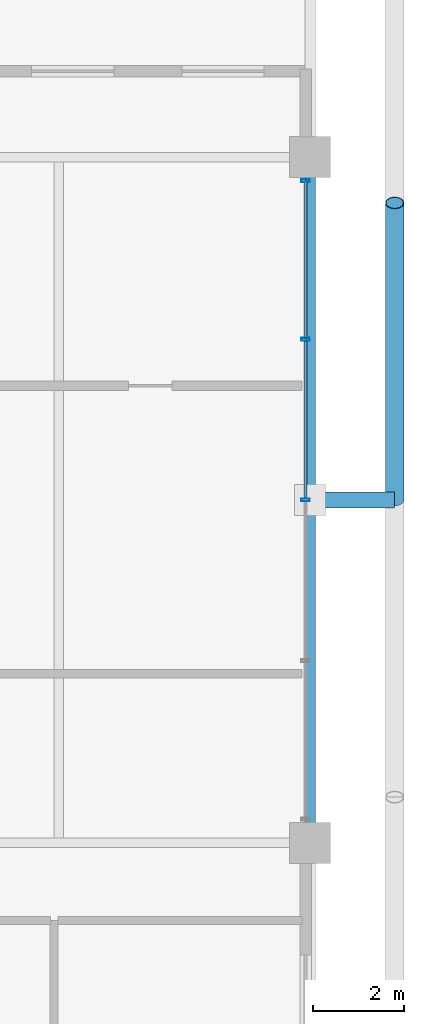
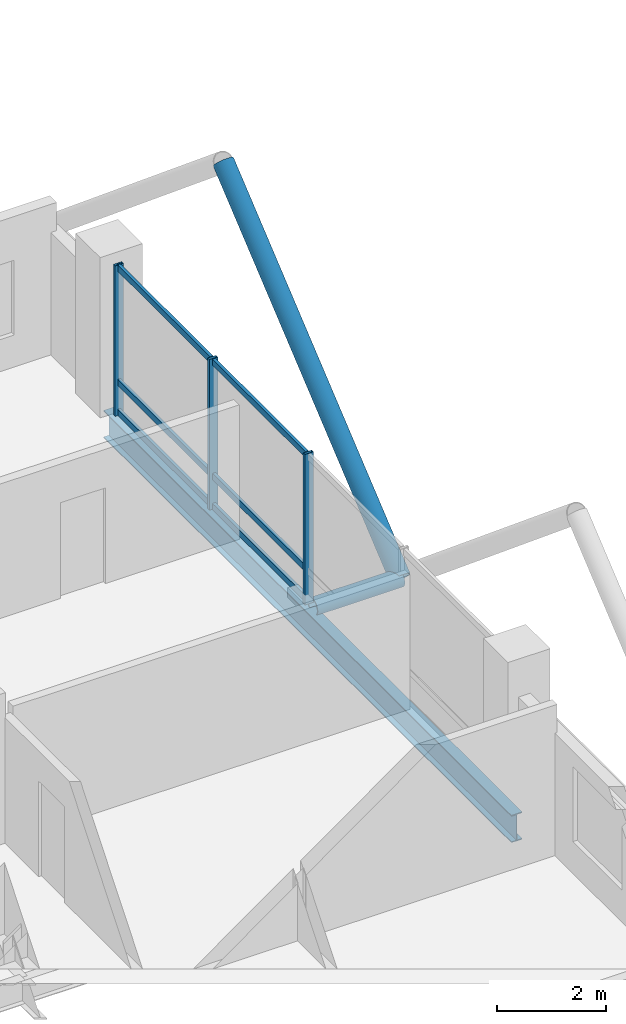
# One storey, part 13 of 21: 11 members, 1 beam, 1 element without a shape of its own.
"""IFC4 building model written with IfcOpenShell, lengths in metres."""

import ifcopenshell
import ifcopenshell.guid

model = None  # the IFC model being written
_history = None  # IfcOwnerHistory: only IFC2X3 demands one
_inside = {}  # id of a spatial element -> (the spatial element, [elements in it])
_under = {}  # id of a project, library or spatial element -> (it, [spatial elements below it])
_declared = {}  # id of a project -> (the project, [libraries it declares])
_typed = {}  # id of a type object -> (the type object, [elements of that type])
_made_of = {}  # id of a material, layer set ... -> (it, [elements and type objects made of it])


def new_model(schema):
    """Start an empty IFC model of exactly this schema.

    Asked for "IFC4X3", IfcOpenShell would pick the latest addendum, in which some entities
    have other attributes; the version numbers below select the first issue.
    IFC2X3 requires an IfcOwnerHistory on every rooted entity: one is made here for all.
    """
    global model, _history
    if schema == "IFC4X3":
        model = ifcopenshell.file(schema_version=(4, 3, 0, 0))
    else:
        model = ifcopenshell.file(schema=schema)
    _inside.clear()
    _under.clear()
    _declared.clear()
    _typed.clear()
    _made_of.clear()
    _history = None
    if model.schema == "IFC2X3":
        org = make("IfcOrganization", Name="unknown")
        user = make(
            "IfcPersonAndOrganization",
            ThePerson=make("IfcPerson", FamilyName="unknown"),
            TheOrganization=org,
        )
        app = make(
            "IfcApplication",
            ApplicationDeveloper=org,
            Version="unknown",
            ApplicationFullName="unknown",
            ApplicationIdentifier="unknown",
        )
        _history = make(
            "IfcOwnerHistory",
            OwningUser=user,
            OwningApplication=app,
            ChangeAction="ADDED",
            CreationDate=0,
        )
    return model


def make(cls, **values):
    """One entity of the class cls with the attributes given. An attribute that is None is left unset."""
    return model.create_entity(
        cls, **{name: value for name, value in values.items() if value is not None}
    )


def rooted(cls, **values):
    """An entity with a GlobalId (a new one), such as an element, a storey or a relation."""
    return make(cls, GlobalId=ifcopenshell.guid.new(), OwnerHistory=_history, **values)


def si_unit(unit_type, name, prefix=None):
    """IfcSIUnit, for example si_unit("LENGTHUNIT", "METRE", prefix="MILLI")."""
    return make("IfcSIUnit", UnitType=unit_type, Prefix=prefix, Name=name)


def assignment(units):
    """IfcUnitAssignment: the units of a project."""
    return None if units is None else make("IfcUnitAssignment", Units=units)


def point(xyz):
    """IfcCartesianPoint."""
    return None if xyz is None else make("IfcCartesianPoint", Coordinates=xyz)


def direction(xyz):
    """IfcDirection."""
    return None if xyz is None else make("IfcDirection", DirectionRatios=xyz)


def frame(location, z_axis=None, x_axis=None):
    """IfcAxis2Placement3D, a coordinate frame: its origin and axes. An axis left out is left unset."""
    return make(
        "IfcAxis2Placement3D",
        Location=point(location),
        Axis=direction(z_axis),
        RefDirection=direction(x_axis),
    )


def frame_2d(location, x_axis=None):
    """IfcAxis2Placement2D, a coordinate frame in the plane: its origin and x axis."""
    return make(
        "IfcAxis2Placement2D", Location=point(location), RefDirection=direction(x_axis)
    )


def origin():
    """The frame at (0, 0, 0) with its axes left unset."""
    return frame((0.0, 0.0, 0.0))


def origin_2d():
    """The frame at (0, 0) in the plane with its x axis left unset."""
    return frame_2d((0.0, 0.0))


def place(relative_to, where):
    """IfcLocalPlacement: puts the frame where relative to a parent placement (None: the world)."""
    return make(
        "IfcLocalPlacement", PlacementRelTo=relative_to, RelativePlacement=where
    )


def context(
    kind, dimensions, precision=None, world=None, true_north=None, identifier=None
):
    """IfcGeometricRepresentationContext, for example the 3D "Model" context."""
    return make(
        "IfcGeometricRepresentationContext",
        ContextIdentifier=identifier,
        ContextType=kind,
        CoordinateSpaceDimension=dimensions,
        Precision=precision,
        WorldCoordinateSystem=world,
        TrueNorth=true_north,
    )


def subcontext(parent, identifier, kind, view, scale=None):
    """IfcGeometricRepresentationSubContext, for example "Body" below "Model"."""
    return make(
        "IfcGeometricRepresentationSubContext",
        ContextIdentifier=identifier,
        ContextType=kind,
        ParentContext=parent,
        TargetScale=scale,
        TargetView=view,
    )


def project(units=None, contexts=None):
    """IfcProject with its units and contexts."""
    return rooted(
        "IfcProject",
        Name="project",
        RepresentationContexts=contexts,
        UnitsInContext=assignment(units),
    )


def spatial(cls, under=None, at=None, **own):
    """A site, building, storey or space (cls), placed at a placement, below another one or the project."""
    s = rooted(cls, ObjectPlacement=at, **own)
    if under is not None:
        _under.setdefault(under.id(), (under, []))[1].append(s)
    return s


def profile(cls, at=None, kind="AREA", **sizes):
    """A parametric profile (cls). Its sizes go by their IFC names, for example OverallWidth=200.0."""
    return make(cls, ProfileType=kind, Position=at, **sizes)


def hollow_rectangle(**sizes):
    """IfcRectangleHollowProfileDef."""
    return profile("IfcRectangleHollowProfileDef", **sizes)


def hollow_circle(**sizes):
    """IfcCircleHollowProfileDef."""
    return profile("IfcCircleHollowProfileDef", **sizes)


def i_section(**sizes):
    """IfcIShapeProfileDef."""
    return profile("IfcIShapeProfileDef", **sizes)


def extrude(swept, where, along, depth):
    """IfcExtrudedAreaSolid: the profile swept, set in the frame where, extruded along a direction by depth."""
    return make(
        "IfcExtrudedAreaSolid",
        SweptArea=swept,
        Position=where,
        ExtrudedDirection=direction(along),
        Depth=depth,
    )


def shape(context_of_items, identifier, shape_type, items):
    """IfcShapeRepresentation: the items that make up one representation, for example the "Body"."""
    return make(
        "IfcShapeRepresentation",
        ContextOfItems=context_of_items,
        RepresentationIdentifier=identifier,
        RepresentationType=shape_type,
        Items=items,
    )


def material(Name=None, Category=None):
    """IfcMaterial."""
    return make("IfcMaterial", Name=Name, Category=Category)


def layer(
    of_material, thickness, ventilated=None, Name=None, Category=None, Priority=None
):
    """IfcMaterialLayer: one layer of a wall or slab, of a material (None: an air gap)."""
    return make(
        "IfcMaterialLayer",
        Material=of_material,
        LayerThickness=thickness,
        IsVentilated=ventilated,
        Name=Name,
        Category=Category,
        Priority=Priority,
    )


def layer_set(layers, Name=None):
    """IfcMaterialLayerSet."""
    return make("IfcMaterialLayerSet", MaterialLayers=layers, LayerSetName=Name)


def material_profile(
    of_material, cross_section, Name=None, Category=None, Priority=None
):
    """IfcMaterialProfile: a cross section and its material."""
    return make(
        "IfcMaterialProfile",
        Name=Name,
        Material=of_material,
        Profile=cross_section,
        Priority=Priority,
        Category=Category,
    )


def profile_set(profiles, Name=None, composite=None):
    """IfcMaterialProfileSet."""
    return make(
        "IfcMaterialProfileSet",
        Name=Name,
        MaterialProfiles=profiles,
        CompositeProfile=composite,
    )


def made_of(thing, what):
    """Note that an element or type object is made of a material, layer set ...; save() writes the relation."""
    if what is not None:
        _made_of.setdefault(what.id(), (what, []))[1].append(thing)
    return thing


def type_object(cls, material=None, **own):
    """A type object (cls), such as IfcWallType, which elements share."""
    return made_of(rooted(cls, **own), material)


def element(
    cls,
    number,
    at=None,
    inside=None,
    cuts=None,
    type_object=None,
    material=None,
    context=None,
    identifier="Body",
    shape_type=None,
    held_by="IfcProductDefinitionShape",
    body=None,
    shapes=None,
    **own,
):
    """One element of the class cls, such as IfcWall. Its Tag is "e" and its number.

    at: its placement. inside: the storey or other place that contains it. cuts: it is an
    opening in that element (IfcRelVoidsElement). A single representation is given by context,
    identifier, shape_type and body (its items); several are given by shapes. held_by: the class
    of the entity that holds the representations. save() writes the other relations.
    """
    e = rooted(cls, Tag="e%d" % number, ObjectPlacement=at, **own)
    if body is not None:
        shapes = [shape(context, identifier, shape_type, body)]
    if shapes is not None:
        e.Representation = make(held_by, Representations=shapes)
    if inside is not None:
        _inside.setdefault(inside.id(), (inside, []))[1].append(e)
    if cuts is not None:
        rooted(
            "IfcRelVoidsElement", RelatingBuildingElement=cuts, RelatedOpeningElement=e
        )
    if type_object is not None:
        _typed.setdefault(type_object.id(), (type_object, []))[1].append(e)
    return made_of(e, material)


def aggregate(whole, parts):
    """IfcRelAggregates: a whole, such as a stair, and the parts it consists of."""
    return rooted("IfcRelAggregates", RelatingObject=whole, RelatedObjects=parts)


def save(model, path):
    """Write the relations noted so far, then the file.

    IfcRelAggregates (storeys below a building ...), IfcRelContainedInSpatialStructure (elements
    in a storey), IfcRelDefinesByType, IfcRelAssociatesMaterial and IfcRelDeclares: one each for
    every whole, place, type object, material and project.
    """
    for whole, parts in _under.values():
        aggregate(whole, parts)
    for where, things in _inside.values():
        rooted(
            "IfcRelContainedInSpatialStructure",
            RelatedElements=things,
            RelatingStructure=where,
        )
    for kind, things in _typed.values():
        rooted("IfcRelDefinesByType", RelatedObjects=things, RelatingType=kind)
    for what, things in _made_of.values():
        rooted("IfcRelAssociatesMaterial", RelatedObjects=things, RelatingMaterial=what)
    for by, libraries in _declared.values():
        rooted("IfcRelDeclares", RelatingContext=by, RelatedDefinitions=libraries)
    model.write(path)


model = new_model("IFC4")

# Units and contexts
model_context = context("Model", 3, precision=1e-05, world=origin(), true_north=direction((0.0, 1.0)))
body_context = subcontext(model_context, "Body", "Model", "MODEL_VIEW")
ifc_project = project(units=[si_unit("LENGTHUNIT", "METRE"), si_unit("AREAUNIT", "SQUARE_METRE"), si_unit("VOLUMEUNIT", "CUBIC_METRE"), si_unit("PLANEANGLEUNIT", "RADIAN"), si_unit("MASSUNIT", "GRAM", prefix="KILO")], contexts=[model_context])

# Site, building, storey
site_placement = place(None, origin())
site = spatial("IfcSite", under=ifc_project, at=site_placement, CompositionType="ELEMENT")
building_placement = place(site_placement, origin())
building = spatial("IfcBuilding", under=site, at=building_placement, Name="Barlavira Tower and Art Museum", CompositionType="ELEMENT")
storey_placement = place(building_placement, frame((0.0, 0.0, 261.89990234375)))
storey = spatial("IfcBuildingStorey", under=building, at=storey_placement, Name="L68", CompositionType="ELEMENT", Elevation=261.89990234375)

# Curtain wall, members
ifc_material_1 = material(Name="Low-iron coastal laminated glass", Category="glass")
ifc_layer = layer(ifc_material_1, 0.2099609375, Name="Low-iron coastal laminated glass")
ifc_layer_set = layer_set([ifc_layer], Name="Low-iron coastal laminated glass")
curtain_wall_type = type_object("IfcCurtainWallType", Name="Pale-Metal Unitised Curtain Wall Zone 4", PredefinedType="NOTDEFINED", material=ifc_layer_set)
curtain_wall_placement = place(storey_placement, origin())
curtain_wall = element("IfcCurtainWall", 1, at=curtain_wall_placement, inside=storey, type_object=curtain_wall_type, Name="L68 Curtain Wall CW4-L68-E-B3", PredefinedType="NOTDEFINED")
ifc_material_2 = material(Name="Pale anodised aluminium", Category="aluminium")
ifc_material_profile_1 = material_profile(ifc_material_2, hollow_rectangle(XDim=0.06494140625, YDim=0.179931640625, WallThickness=0.00390625, at=origin_2d()), Name="ALU-MULL 65x180x4")
ifc_profile_set_1 = profile_set([ifc_material_profile_1], Name="Pale anodised aluminium")
member_type_1 = type_object("IfcMemberType", Name="Curtain Wall Pale-Metal Mullion 65x180", PredefinedType="MULLION", material=ifc_profile_set_1)
member_1_placement = place(storey_placement, frame((16.89990234375, 0.0, 0.0), z_axis=(0.0, 0.0, 1.0), x_axis=(0.0, 1.0, 0.0)))
member_1 = element("IfcMember", 2, at=member_1_placement, type_object=member_type_1, Name="CW4-L68-E-B3 Mullion 2", PredefinedType="MULLION", context=body_context, shape_type="SweptSolid", body=[
    extrude(hollow_rectangle(XDim=0.06494140625, YDim=0.179931640625, WallThickness=0.00390625, at=origin_2d()), origin(), (0.0, 0.0, 1.0), 3.380126953125),
])
member_2_placement = place(storey_placement, frame((16.89990234375, 3.514892578125, 0.0), z_axis=(0.0, 0.0, 1.0), x_axis=(0.0, 1.0, 0.0)))
member_2 = element("IfcMember", 3, at=member_2_placement, type_object=member_type_1, Name="CW4-L68-E-B3 Mullion 3", PredefinedType="MULLION", context=body_context, shape_type="SweptSolid", body=[
    extrude(hollow_rectangle(XDim=0.06494140625, YDim=0.179931640625, WallThickness=0.00390625, at=origin_2d()), origin(), (0.0, 0.0, 1.0), 3.380126953125),
])
member_3_placement = place(storey_placement, frame((16.89990234375, 6.985107421875, 0.0), z_axis=(0.0, 0.0, 1.0), x_axis=(0.0, 1.0, 0.0)))
member_3 = element("IfcMember", 4, at=member_3_placement, type_object=member_type_1, Name="CW4-L68-E-B3 Mullion 4", PredefinedType="MULLION", context=body_context, shape_type="SweptSolid", body=[
    extrude(hollow_rectangle(XDim=0.06494140625, YDim=0.179931640625, WallThickness=0.00390625, at=origin_2d()), origin(), (0.0, 0.0, 1.0), 3.380126953125),
])
ifc_material_profile_2 = material_profile(ifc_material_2, hollow_rectangle(XDim=0.06494140625, YDim=0.139892578125, WallThickness=0.00390625, at=origin_2d()), Name="ALU-TRAN 65x140x4")
ifc_profile_set_2 = profile_set([ifc_material_profile_2], Name="Pale anodised aluminium")
member_type_2 = type_object("IfcMemberType", Name="Curtain Wall Pale-Metal Transom 65x140", PredefinedType="USERDEFINED", material=ifc_profile_set_2)
member_4_placement = place(storey_placement, frame((16.89990234375, 0.044921875, 0.070068359375), z_axis=(0.0, 1.0, 0.0), x_axis=(-1.0, 0.0, 0.0)))
member_4 = element("IfcMember", 5, at=member_4_placement, type_object=member_type_2, Name="CW4-L68-E-B3 Transom 2.1", ObjectType="TRANSOM", PredefinedType="USERDEFINED", context=body_context, shape_type="SweptSolid", body=[
    extrude(hollow_rectangle(XDim=0.06494140625, YDim=0.139892578125, WallThickness=0.00390625, at=origin_2d()), origin(), (0.0, 0.0, 1.0), 3.425048828125),
])
member_5_placement = place(storey_placement, frame((16.89990234375, 0.044921875, 0.744140625), z_axis=(0.0, 1.0, 0.0), x_axis=(-1.0, 0.0, 0.0)))
member_5 = element("IfcMember", 6, at=member_5_placement, type_object=member_type_2, Name="CW4-L68-E-B3 Transom 2.2", ObjectType="TRANSOM", PredefinedType="USERDEFINED", context=body_context, shape_type="SweptSolid", body=[
    extrude(hollow_rectangle(XDim=0.06494140625, YDim=0.139892578125, WallThickness=0.00390625, at=origin_2d()), origin(), (0.0, 0.0, 1.0), 3.425048828125),
])
member_6_placement = place(storey_placement, frame((16.89990234375, 0.044921875, 3.31005859375), z_axis=(0.0, 1.0, 0.0), x_axis=(-1.0, 0.0, 0.0)))
member_6 = element("IfcMember", 7, at=member_6_placement, type_object=member_type_2, Name="CW4-L68-E-B3 Transom 2.3", ObjectType="TRANSOM", PredefinedType="USERDEFINED", context=body_context, shape_type="SweptSolid", body=[
    extrude(hollow_rectangle(XDim=0.06494140625, YDim=0.139892578125, WallThickness=0.00390625, at=origin_2d()), origin(), (0.0, 0.0, 1.0), 3.425048828125),
])
member_7_placement = place(storey_placement, frame((16.89990234375, 3.56005859375, 0.070068359375), z_axis=(0.0, 1.0, 0.0), x_axis=(-1.0, 0.0, 0.0)))
member_7 = element("IfcMember", 8, at=member_7_placement, type_object=member_type_2, Name="CW4-L68-E-B3 Transom 3.1", ObjectType="TRANSOM", PredefinedType="USERDEFINED", context=body_context, shape_type="SweptSolid", body=[
    extrude(hollow_rectangle(XDim=0.06494140625, YDim=0.139892578125, WallThickness=0.00390625, at=origin_2d()), origin(), (0.0, 0.0, 1.0), 3.425048828125),
])
member_8_placement = place(storey_placement, frame((16.89990234375, 3.56005859375, 0.744140625), z_axis=(0.0, 1.0, 0.0), x_axis=(-1.0, 0.0, 0.0)))
member_8 = element("IfcMember", 9, at=member_8_placement, type_object=member_type_2, Name="CW4-L68-E-B3 Transom 3.2", ObjectType="TRANSOM", PredefinedType="USERDEFINED", context=body_context, shape_type="SweptSolid", body=[
    extrude(hollow_rectangle(XDim=0.06494140625, YDim=0.139892578125, WallThickness=0.00390625, at=origin_2d()), origin(), (0.0, 0.0, 1.0), 3.425048828125),
])
member_9_placement = place(storey_placement, frame((16.89990234375, 3.56005859375, 3.31005859375), z_axis=(0.0, 1.0, 0.0), x_axis=(-1.0, 0.0, 0.0)))
member_9 = element("IfcMember", 10, at=member_9_placement, type_object=member_type_2, Name="CW4-L68-E-B3 Transom 3.3", ObjectType="TRANSOM", PredefinedType="USERDEFINED", context=body_context, shape_type="SweptSolid", body=[
    extrude(hollow_rectangle(XDim=0.06494140625, YDim=0.139892578125, WallThickness=0.00390625, at=origin_2d()), origin(), (0.0, 0.0, 1.0), 3.425048828125),
])
aggregate(curtain_wall, [member_1, member_2, member_3, member_4, member_5, member_6, member_7, member_8, member_9])

# Members
ifc_material_3 = material(Name="Steel S355", Category="steel")
ifc_material_profile_3 = material_profile(ifc_material_3, hollow_circle(Radius=0.203125, WallThickness=0.01611328125, at=origin_2d()), Name="CHS 406.4x16.0")
ifc_profile_set_3 = profile_set([ifc_material_profile_3], Name="Steel S355")
member_type_3 = type_object("IfcMemberType", Name="Pale-Metal Exoskeleton Diagrid Tube CHS 406x16 Steel S355", PredefinedType="BRACE", material=ifc_profile_set_3)
member_10_placement = place(storey_placement, frame((18.85009765625, 0.0, -0.119873046875), z_axis=(0.0, 0.769196053329, 0.639012857104), x_axis=(-1.0, 0.0, 0.0)))
element("IfcMember", 11, at=member_10_placement, inside=storey, type_object=member_type_3, Name="L68 Exoskeleton Diagrid Tube E", PredefinedType="BRACE", context=body_context, shape_type="SweptSolid", body=[
    extrude(hollow_circle(Radius=0.203125, WallThickness=0.01611328125, at=origin_2d()), origin(), (0.0, 0.0, 1.0), 8.450439453125),
])
ifc_material_profile_4 = material_profile(ifc_material_3, hollow_circle(Radius=0.177734375, WallThickness=0.01611328125, at=origin_2d()), Name="CHS 355.6x16.0")
ifc_profile_set_4 = profile_set([ifc_material_profile_4], Name="Steel S355")
member_type_4 = type_object("IfcMemberType", Name="Pale-Metal Exoskeleton Tie Strut CHS 356x16 Steel S355", PredefinedType="STRUT", material=ifc_profile_set_4)
member_11_placement = place(storey_placement, frame((18.85009765625, 0.0, -0.119873046875), z_axis=(-1.0, 0.0, 0.0), x_axis=(0.0, -1.0, 0.0)))
element("IfcMember", 12, at=member_11_placement, inside=storey, type_object=member_type_4, Name="L68 Exoskeleton Tie Strut E2", PredefinedType="STRUT", context=body_context, shape_type="SweptSolid", body=[
    extrude(hollow_circle(Radius=0.177734375, WallThickness=0.01611328125, at=origin_2d()), origin(), (0.0, 0.0, 1.0), 1.85009765625),
])

# Beam
ifc_material_profile_5 = material_profile(ifc_material_3, i_section(OverallWidth=0.22998046875, OverallDepth=0.616943359375, WebThickness=0.01318359375, FlangeThickness=0.022216796875, at=origin_2d()), Name="W610x140.0")
ifc_profile_set_5 = profile_set([ifc_material_profile_5], Name="Steel S355")
beam_type = type_object("IfcBeamType", Name="Upper Shaft Spandrel Edge Beam W610x140 Steel S355", PredefinedType="SPANDREL", material=ifc_profile_set_5)
beam_placement = place(storey_placement, frame((17.0, -7.5, -0.5283203125), z_axis=(0.0, 1.0, 0.0), x_axis=(-1.0, 0.0, 0.0)))
element("IfcBeam", 13, at=beam_placement, inside=storey, type_object=beam_type, Name="L68 Spandrel 6", PredefinedType="SPANDREL", context=body_context, shape_type="SweptSolid", body=[
    extrude(i_section(OverallWidth=0.22998046875, OverallDepth=0.616943359375, WebThickness=0.01318359375, FlangeThickness=0.022216796875, at=origin_2d()), origin(), (0.0, 0.0, 1.0), 15.0),
])

save(model, "model.ifc")
